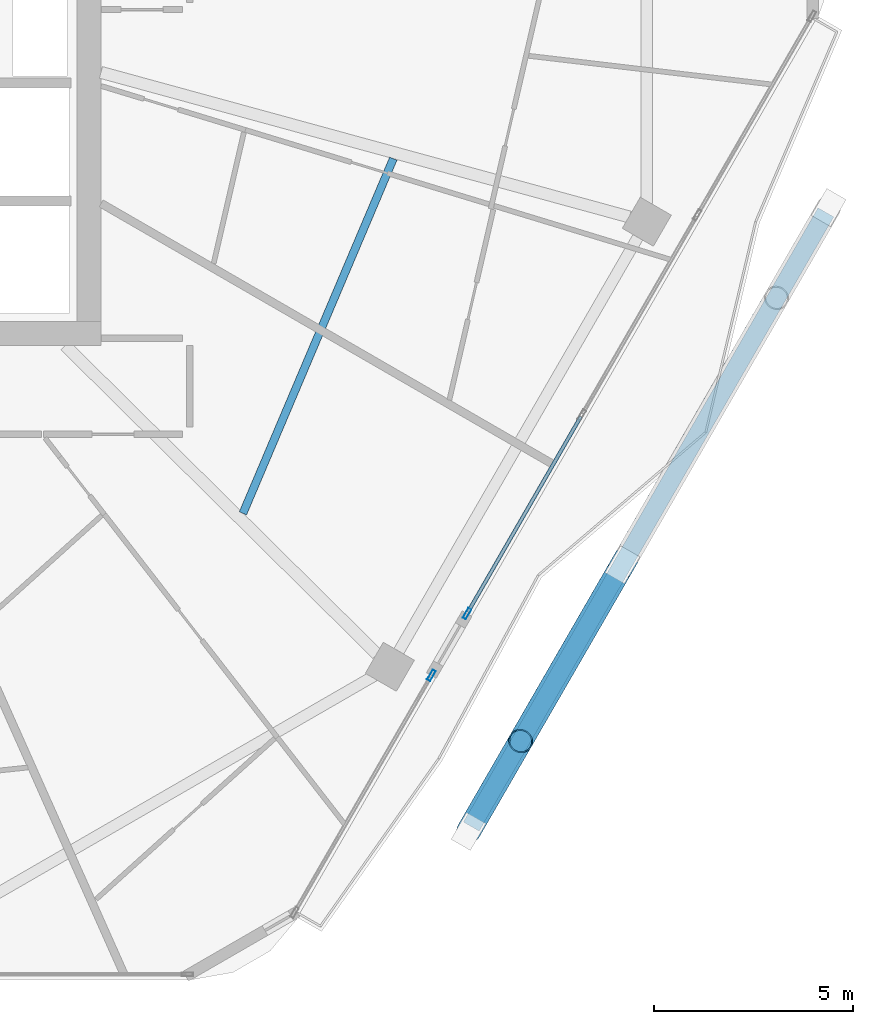
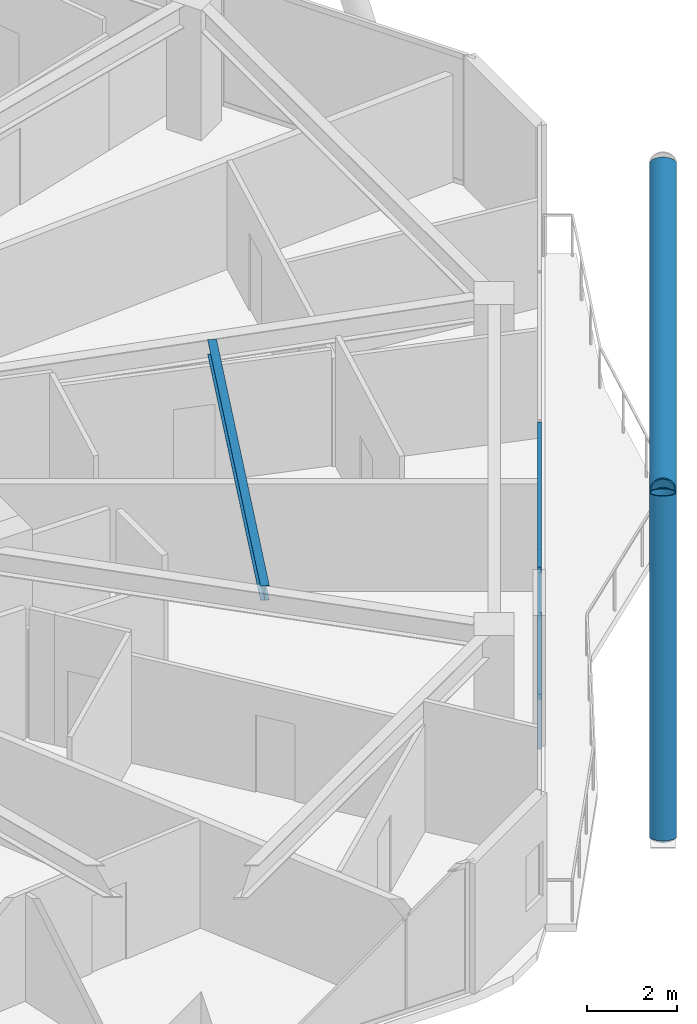
# One storey, part 9 of 29: 8 members, 1 beam, 2 elements without a shape of their own.
"""IFC4 building model written with IfcOpenShell, lengths in metres."""

from ifc_helpers import new_model, si_unit, direction, frame, origin, origin_2d, place, context, subcontext, project, spatial, hollow_rectangle, hollow_circle, i_section, extrude, material, material_profile, profile_set, type_object, element, aggregate, save


model = new_model("IFC4")

# Units and contexts
model_context = context("Model", 3, precision=1e-05, world=origin(), true_north=direction((0.0, 1.0)))
body_context = subcontext(model_context, "Body", "Model", "MODEL_VIEW")
ifc_project = project(units=[si_unit("LENGTHUNIT", "METRE"), si_unit("AREAUNIT", "SQUARE_METRE"), si_unit("VOLUMEUNIT", "CUBIC_METRE"), si_unit("PLANEANGLEUNIT", "RADIAN"), si_unit("MASSUNIT", "GRAM", prefix="KILO")], contexts=[model_context])

# Site, building, storey
site_placement = place(None, origin())
site = spatial("IfcSite", under=ifc_project, at=site_placement, CompositionType="ELEMENT")
building_placement = place(site_placement, origin())
building = spatial("IfcBuilding", under=site, at=building_placement, Name="Zuhravey Tower", CompositionType="ELEMENT")
storey_placement = place(building_placement, frame((0.0, 0.0, 246.39990234375)))
storey = spatial("IfcBuildingStorey", under=building, at=storey_placement, Name="L62", CompositionType="ELEMENT", Elevation=246.39990234375)

# Curtain wall, member
ifc_material_1 = material(Name="Thermally broken anodised aluminium", Category="aluminium")
curtain_wall_type = type_object("IfcCurtainWallType", Name="Zone 3-4 High-Rise Curtain Wall CW4", PredefinedType="NOTDEFINED", material=ifc_material_1)
curtain_wall_1_placement = place(storey_placement, origin())
curtain_wall_1 = element("IfcCurtainWall", 1, at=curtain_wall_1_placement, inside=storey, type_object=curtain_wall_type, Name="L62 CW4 CW-L62-F6-1", PredefinedType="NOTDEFINED")
ifc_material_2 = material(Name="Anodised aluminium", Category="aluminium")
ifc_material_profile_1 = material_profile(ifc_material_2, hollow_rectangle(XDim=0.090087890625, YDim=0.284912109375, WallThickness=0.0048828125, at=origin_2d()), Name="ALU-RHS-90x285x5")
ifc_profile_set_1 = profile_set([ifc_material_profile_1], Name="Anodised aluminium")
member_type_1 = type_object("IfcMemberType", Name="Curtain-Wall Mullion 90x180", PredefinedType="MULLION", material=ifc_profile_set_1)
member_1_placement = place(storey_placement, frame((55.97998046875, 15.47900390625, 0.0), z_axis=(0.0, 0.0, 1.0), x_axis=(0.866025913193, -0.499999117677, 0.0)))
member_1 = element("IfcMember", 2, at=member_1_placement, type_object=member_type_1, Name="CW4 mullion 4", PredefinedType="MULLION", context=body_context, shape_type="SweptSolid", body=[
    extrude(hollow_rectangle(XDim=0.090087890625, YDim=0.284912109375, WallThickness=0.0048828125, at=origin_2d()), origin(), (0.0, 0.0, 1.0), 3.550048828125),
])

curtain_wall_2_placement = place(storey_placement, origin())
curtain_wall_2 = element("IfcCurtainWall", 3, at=curtain_wall_2_placement, inside=storey, type_object=curtain_wall_type, Name="L62 CW4 CW-L62-F6-2", PredefinedType="NOTDEFINED")
member_2_placement = place(storey_placement, frame((55.0849609375, 13.928955078125, 0.0), z_axis=(0.0, 0.0, 1.0), x_axis=(0.866023613839, -0.500003100264, 0.0)))
member_2 = element("IfcMember", 4, at=member_2_placement, type_object=member_type_1, Name="CW4 mullion 1", PredefinedType="MULLION", context=body_context, shape_type="SweptSolid", body=[
    extrude(hollow_rectangle(XDim=0.090087890625, YDim=0.284912109375, WallThickness=0.0048828125, at=origin_2d()), origin(), (0.0, 0.0, 1.0), 3.550048828125),
])
aggregate(curtain_wall_2, [member_2])

# Member
ifc_material_profile_2 = material_profile(ifc_material_2, hollow_rectangle(XDim=0.090087890625, YDim=0.14990234375, WallThickness=0.0048828125, at=origin_2d()), Name="ALU-RHS-90x150x5")
ifc_profile_set_2 = profile_set([ifc_material_profile_2], Name="Anodised aluminium")
member_type_2 = type_object("IfcMemberType", Name="Curtain-Wall Transom 90x150", PredefinedType="USERDEFINED", material=ifc_profile_set_2)
member_3_placement = place(storey_placement, frame((58.830810546875, 20.4169921875, 0.045166015625), z_axis=(-0.499996423147, -0.866027468871, 0.0), x_axis=(0.866027468871, -0.499996423147, 0.0)))
member_3 = element("IfcMember", 5, at=member_3_placement, type_object=member_type_2, Name="CW4 transom 3.1", ObjectType="TRANSOM", PredefinedType="USERDEFINED", context=body_context, shape_type="SweptSolid", body=[
    extrude(hollow_rectangle(XDim=0.090087890625, YDim=0.14990234375, WallThickness=0.0048828125, at=origin_2d()), origin(), (0.0, 0.0, 1.0), 5.65673828125),
])

member_4_placement = place(storey_placement, frame((58.830810546875, 20.4169921875, 3.505126953125), z_axis=(-0.499996423147, -0.866027468871, 0.0), x_axis=(0.866027468871, -0.499996423147, 0.0)))
member_4 = element("IfcMember", 6, at=member_4_placement, type_object=member_type_2, Name="CW4 transom 3.2", ObjectType="TRANSOM", PredefinedType="USERDEFINED", context=body_context, shape_type="SweptSolid", body=[
    extrude(hollow_rectangle(XDim=0.090087890625, YDim=0.14990234375, WallThickness=0.0048828125, at=origin_2d()), origin(), (0.0, 0.0, 1.0), 5.65673828125),
])

aggregate(curtain_wall_1, [member_1, member_3, member_4])

# Members
ifc_material_3 = material(Name="Steel SM355", Category="steel")
ifc_material_profile_3 = material_profile(ifc_material_3, hollow_circle(Radius=0.228515625, WallThickness=0.02197265625, at=origin_2d()), Name="CHS-457.2x22")
ifc_profile_set_3 = profile_set([ifc_material_profile_3], Name="Steel SM355")
member_type_3 = type_object("IfcMemberType", Name="Exoskeleton Ring Tie CHS457x22", PredefinedType="CHORD", material=ifc_profile_set_3)
member_5_placement = place(storey_placement, frame((56.08447265625, 10.14013671875, -0.4638671875), z_axis=(0.499995467921, 0.866028020366, 0.0), x_axis=(-0.866028020366, 0.499995467921, 0.0)))
element("IfcMember", 7, at=member_5_placement, inside=storey, type_object=member_type_3, Name="L62 Exoskeleton Face 6 Tie EXR1", PredefinedType="CHORD", context=body_context, shape_type="SweptSolid", body=[
    extrude(hollow_circle(Radius=0.228515625, WallThickness=0.02197265625, at=origin_2d()), origin(), (0.0, 0.0, 1.0), 17.778076171875),
])
ifc_material_profile_4 = material_profile(ifc_material_3, hollow_circle(Radius=0.3046875, WallThickness=0.028076171875, at=origin_2d()), Name="CHS-609.6x28")
ifc_profile_set_4 = profile_set([ifc_material_profile_4], Name="Steel SM355")
member_type_4 = type_object("IfcMemberType", Name="Exoskeleton Zone 3 Diagrid CHS610x28", PredefinedType="BRACE", material=ifc_profile_set_4)
member_6_placement = place(storey_placement, frame((56.017578125, 10.024169921875, -0.44580078125), z_axis=(0.163029217662, 0.282394798701, 0.945343668649), x_axis=(-0.866040668696, 0.499973559465, 0.0)))
element("IfcMember", 8, at=member_6_placement, inside=storey, type_object=member_type_4, Name="L62 Face 6 Diagrid Brace 1", PredefinedType="BRACE", context=body_context, shape_type="SweptSolid", body=[
    extrude(hollow_circle(Radius=0.3046875, WallThickness=0.028076171875, at=origin_2d()), origin(), (0.0, 0.0, 1.0), 8.001220703125),
])
member_7_placement = place(storey_placement, frame((56.03271484375, 10.050537109375, -0.44580078125), z_axis=(0.44858715889, 0.776961798354, 0.441701171357), x_axis=(-0.866021515814, 0.500006734102, 0.0)))
element("IfcMember", 9, at=member_7_placement, inside=storey, type_object=member_type_4, Name="L62 Face 6 Diagrid Brace 2", PredefinedType="BRACE", context=body_context, shape_type="SweptSolid", body=[
    extrude(hollow_circle(Radius=0.3046875, WallThickness=0.028076171875, at=origin_2d()), origin(), (0.0, 0.0, 1.0), 17.12451171875),
])
member_8_placement = place(storey_placement, frame((59.75537109375, 16.498291015625, 3.512451171875), z_axis=(-0.400847383704, -0.694296697272, 0.597723574183), x_axis=(0.866028105091, -0.49999532117, 0.0)))
element("IfcMember", 10, at=member_8_placement, inside=storey, type_object=member_type_4, Name="L62 Face 6 Split Diagrid Brace 3B", PredefinedType="BRACE", context=body_context, shape_type="SweptSolid", body=[
    extrude(hollow_circle(Radius=0.3046875, WallThickness=0.028076171875, at=origin_2d()), origin(), (0.0, 0.0, 1.0), 6.021728515625),
])

# Beam
ifc_material_profile_5 = material_profile(ifc_material_3, i_section(OverallWidth=0.199951171875, OverallDepth=0.39990234375, WebThickness=0.008056640625, FlangeThickness=0.012939453125, at=origin_2d()), Name="H-400x200x8x13")
ifc_profile_set_5 = profile_set([ifc_material_profile_5], Name="Steel SM355")
beam_type = type_object("IfcBeamType", Name="Secondary Floor Joist H400x200", PredefinedType="JOIST", material=ifc_profile_set_5)
beam_placement = place(storey_placement, frame((50.36083984375, 17.990966796875, 3.35009765625), z_axis=(0.390413493754, 0.920639616731, 0.0), x_axis=(-0.920639616731, 0.390413493754, 0.0)))
element("IfcBeam", 11, at=beam_placement, inside=storey, type_object=beam_type, Name="L62 SJ2 BM-L62-SJ-11-1", PredefinedType="JOIST", context=body_context, shape_type="SweptSolid", body=[
    extrude(i_section(OverallWidth=0.199951171875, OverallDepth=0.39990234375, WebThickness=0.008056640625, FlangeThickness=0.012939453125, at=origin_2d()), origin(), (0.0, 0.0, 1.0), 9.656494140625),
])

save(model, "model.ifc")
